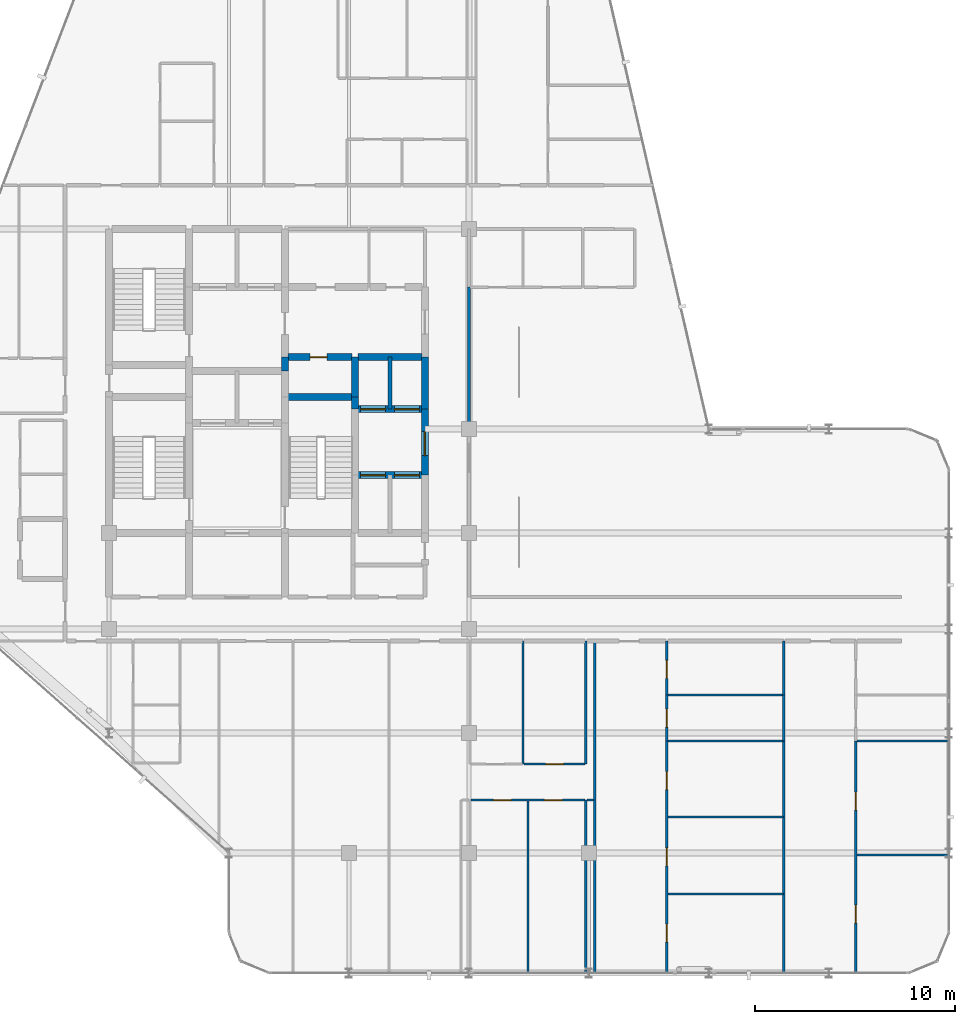
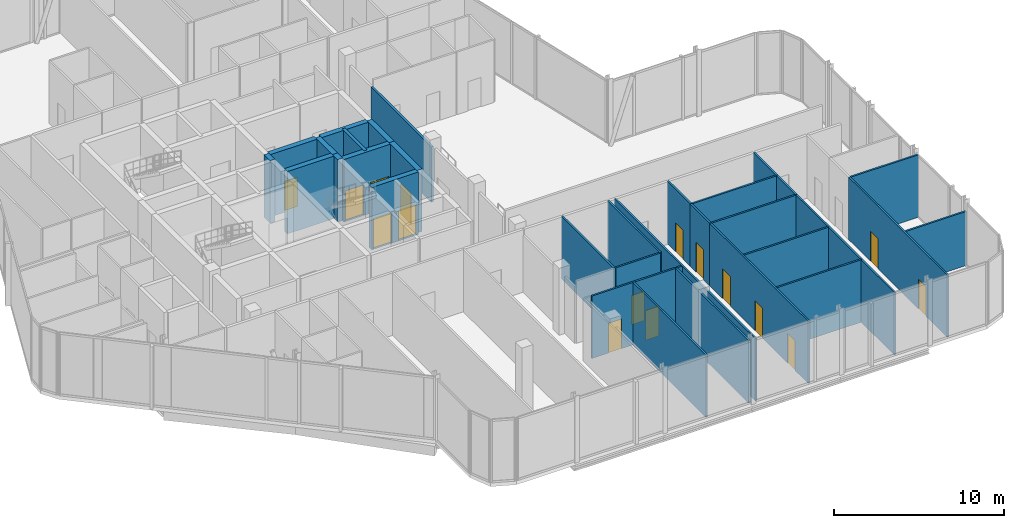
# One storey, part 25 of 29: 33 walls, 16 doors, 16 openings.
"""IFC4 building model written with IfcOpenShell, lengths in metres."""

import ifcopenshell
import ifcopenshell.guid

model = None  # the IFC model being written
_history = None  # IfcOwnerHistory: only IFC2X3 demands one
_inside = {}  # id of a spatial element -> (the spatial element, [elements in it])
_under = {}  # id of a project, library or spatial element -> (it, [spatial elements below it])
_declared = {}  # id of a project -> (the project, [libraries it declares])
_typed = {}  # id of a type object -> (the type object, [elements of that type])
_made_of = {}  # id of a material, layer set ... -> (it, [elements and type objects made of it])


def new_model(schema):
    """Start an empty IFC model of exactly this schema.

    Asked for "IFC4X3", IfcOpenShell would pick the latest addendum, in which some entities
    have other attributes; the version numbers below select the first issue.
    IFC2X3 requires an IfcOwnerHistory on every rooted entity: one is made here for all.
    """
    global model, _history
    if schema == "IFC4X3":
        model = ifcopenshell.file(schema_version=(4, 3, 0, 0))
    else:
        model = ifcopenshell.file(schema=schema)
    _inside.clear()
    _under.clear()
    _declared.clear()
    _typed.clear()
    _made_of.clear()
    _history = None
    if model.schema == "IFC2X3":
        org = make("IfcOrganization", Name="unknown")
        user = make(
            "IfcPersonAndOrganization",
            ThePerson=make("IfcPerson", FamilyName="unknown"),
            TheOrganization=org,
        )
        app = make(
            "IfcApplication",
            ApplicationDeveloper=org,
            Version="unknown",
            ApplicationFullName="unknown",
            ApplicationIdentifier="unknown",
        )
        _history = make(
            "IfcOwnerHistory",
            OwningUser=user,
            OwningApplication=app,
            ChangeAction="ADDED",
            CreationDate=0,
        )
    return model


def make(cls, **values):
    """One entity of the class cls with the attributes given. An attribute that is None is left unset."""
    return model.create_entity(
        cls, **{name: value for name, value in values.items() if value is not None}
    )


def rooted(cls, **values):
    """An entity with a GlobalId (a new one), such as an element, a storey or a relation."""
    return make(cls, GlobalId=ifcopenshell.guid.new(), OwnerHistory=_history, **values)


def si_unit(unit_type, name, prefix=None):
    """IfcSIUnit, for example si_unit("LENGTHUNIT", "METRE", prefix="MILLI")."""
    return make("IfcSIUnit", UnitType=unit_type, Prefix=prefix, Name=name)


def assignment(units):
    """IfcUnitAssignment: the units of a project."""
    return None if units is None else make("IfcUnitAssignment", Units=units)


def point(xyz):
    """IfcCartesianPoint."""
    return None if xyz is None else make("IfcCartesianPoint", Coordinates=xyz)


def direction(xyz):
    """IfcDirection."""
    return None if xyz is None else make("IfcDirection", DirectionRatios=xyz)


def frame(location, z_axis=None, x_axis=None):
    """IfcAxis2Placement3D, a coordinate frame: its origin and axes. An axis left out is left unset."""
    return make(
        "IfcAxis2Placement3D",
        Location=point(location),
        Axis=direction(z_axis),
        RefDirection=direction(x_axis),
    )


def frame_2d(location, x_axis=None):
    """IfcAxis2Placement2D, a coordinate frame in the plane: its origin and x axis."""
    return make(
        "IfcAxis2Placement2D", Location=point(location), RefDirection=direction(x_axis)
    )


def origin():
    """The frame at (0, 0, 0) with its axes left unset."""
    return frame((0.0, 0.0, 0.0))


def place(relative_to, where):
    """IfcLocalPlacement: puts the frame where relative to a parent placement (None: the world)."""
    return make(
        "IfcLocalPlacement", PlacementRelTo=relative_to, RelativePlacement=where
    )


def context(
    kind, dimensions, precision=None, world=None, true_north=None, identifier=None
):
    """IfcGeometricRepresentationContext, for example the 3D "Model" context."""
    return make(
        "IfcGeometricRepresentationContext",
        ContextIdentifier=identifier,
        ContextType=kind,
        CoordinateSpaceDimension=dimensions,
        Precision=precision,
        WorldCoordinateSystem=world,
        TrueNorth=true_north,
    )


def subcontext(parent, identifier, kind, view, scale=None):
    """IfcGeometricRepresentationSubContext, for example "Body" below "Model"."""
    return make(
        "IfcGeometricRepresentationSubContext",
        ContextIdentifier=identifier,
        ContextType=kind,
        ParentContext=parent,
        TargetScale=scale,
        TargetView=view,
    )


def project(units=None, contexts=None):
    """IfcProject with its units and contexts."""
    return rooted(
        "IfcProject",
        Name="project",
        RepresentationContexts=contexts,
        UnitsInContext=assignment(units),
    )


def spatial(cls, under=None, at=None, **own):
    """A site, building, storey or space (cls), placed at a placement, below another one or the project."""
    s = rooted(cls, ObjectPlacement=at, **own)
    if under is not None:
        _under.setdefault(under.id(), (under, []))[1].append(s)
    return s


def profile(cls, at=None, kind="AREA", **sizes):
    """A parametric profile (cls). Its sizes go by their IFC names, for example OverallWidth=200.0."""
    return make(cls, ProfileType=kind, Position=at, **sizes)


def rectangle(**sizes):
    """IfcRectangleProfileDef."""
    return profile("IfcRectangleProfileDef", **sizes)


def extrude(swept, where, along, depth):
    """IfcExtrudedAreaSolid: the profile swept, set in the frame where, extruded along a direction by depth."""
    return make(
        "IfcExtrudedAreaSolid",
        SweptArea=swept,
        Position=where,
        ExtrudedDirection=direction(along),
        Depth=depth,
    )


def shape(context_of_items, identifier, shape_type, items):
    """IfcShapeRepresentation: the items that make up one representation, for example the "Body"."""
    return make(
        "IfcShapeRepresentation",
        ContextOfItems=context_of_items,
        RepresentationIdentifier=identifier,
        RepresentationType=shape_type,
        Items=items,
    )


def material(Name=None, Category=None):
    """IfcMaterial."""
    return make("IfcMaterial", Name=Name, Category=Category)


def layer(
    of_material, thickness, ventilated=None, Name=None, Category=None, Priority=None
):
    """IfcMaterialLayer: one layer of a wall or slab, of a material (None: an air gap)."""
    return make(
        "IfcMaterialLayer",
        Material=of_material,
        LayerThickness=thickness,
        IsVentilated=ventilated,
        Name=Name,
        Category=Category,
        Priority=Priority,
    )


def layer_set(layers, Name=None):
    """IfcMaterialLayerSet."""
    return make("IfcMaterialLayerSet", MaterialLayers=layers, LayerSetName=Name)


def made_of(thing, what):
    """Note that an element or type object is made of a material, layer set ...; save() writes the relation."""
    if what is not None:
        _made_of.setdefault(what.id(), (what, []))[1].append(thing)
    return thing


def type_object(cls, material=None, **own):
    """A type object (cls), such as IfcWallType, which elements share."""
    return made_of(rooted(cls, **own), material)


def element(
    cls,
    number,
    at=None,
    inside=None,
    cuts=None,
    type_object=None,
    material=None,
    context=None,
    identifier="Body",
    shape_type=None,
    held_by="IfcProductDefinitionShape",
    body=None,
    shapes=None,
    **own,
):
    """One element of the class cls, such as IfcWall. Its Tag is "e" and its number.

    at: its placement. inside: the storey or other place that contains it. cuts: it is an
    opening in that element (IfcRelVoidsElement). A single representation is given by context,
    identifier, shape_type and body (its items); several are given by shapes. held_by: the class
    of the entity that holds the representations. save() writes the other relations.
    """
    e = rooted(cls, Tag="e%d" % number, ObjectPlacement=at, **own)
    if body is not None:
        shapes = [shape(context, identifier, shape_type, body)]
    if shapes is not None:
        e.Representation = make(held_by, Representations=shapes)
    if inside is not None:
        _inside.setdefault(inside.id(), (inside, []))[1].append(e)
    if cuts is not None:
        rooted(
            "IfcRelVoidsElement", RelatingBuildingElement=cuts, RelatedOpeningElement=e
        )
    if type_object is not None:
        _typed.setdefault(type_object.id(), (type_object, []))[1].append(e)
    return made_of(e, material)


def fill(opening, filler):
    """IfcRelFillsElement: the door or window that sits in an opening."""
    return rooted(
        "IfcRelFillsElement",
        RelatingOpeningElement=opening,
        RelatedBuildingElement=filler,
    )


def aggregate(whole, parts):
    """IfcRelAggregates: a whole, such as a stair, and the parts it consists of."""
    return rooted("IfcRelAggregates", RelatingObject=whole, RelatedObjects=parts)


def save(model, path):
    """Write the relations noted so far, then the file.

    IfcRelAggregates (storeys below a building ...), IfcRelContainedInSpatialStructure (elements
    in a storey), IfcRelDefinesByType, IfcRelAssociatesMaterial and IfcRelDeclares: one each for
    every whole, place, type object, material and project.
    """
    for whole, parts in _under.values():
        aggregate(whole, parts)
    for where, things in _inside.values():
        rooted(
            "IfcRelContainedInSpatialStructure",
            RelatedElements=things,
            RelatingStructure=where,
        )
    for kind, things in _typed.values():
        rooted("IfcRelDefinesByType", RelatedObjects=things, RelatingType=kind)
    for what, things in _made_of.values():
        rooted("IfcRelAssociatesMaterial", RelatedObjects=things, RelatingMaterial=what)
    for by, libraries in _declared.values():
        rooted("IfcRelDeclares", RelatingContext=by, RelatedDefinitions=libraries)
    model.write(path)


model = new_model("IFC4")

# Units and contexts
model_context = context("Model", 3, precision=1e-05, world=origin(), true_north=direction((0.0, 1.0)))
body_context = subcontext(model_context, "Body", "Model", "MODEL_VIEW")
ifc_project = project(units=[si_unit("LENGTHUNIT", "METRE"), si_unit("AREAUNIT", "SQUARE_METRE"), si_unit("VOLUMEUNIT", "CUBIC_METRE"), si_unit("PLANEANGLEUNIT", "RADIAN"), si_unit("MASSUNIT", "GRAM", prefix="KILO")], contexts=[model_context])

# Site, building, storey
site_placement = place(None, origin())
site = spatial("IfcSite", under=ifc_project, at=site_placement, CompositionType="ELEMENT")
building_placement = place(site_placement, origin())
building = spatial("IfcBuilding", under=site, at=building_placement, Name="Keshet Zoharim Tower", CompositionType="ELEMENT")
storey_placement = place(building_placement, frame((0.0, 0.0, 218.0)))
storey = spatial("IfcBuildingStorey", under=building, at=storey_placement, Name="L54", CompositionType="ELEMENT", Elevation=218.0)

# Walls
ifc_material_1 = material(Name="Gypsum Plasterboard", Category="gypsum")
ifc_layer_1 = layer(ifc_material_1, 0.14990234375)
ifc_layer_set_1 = layer_set([ifc_layer_1], Name="Gypsum Plasterboard")
wall_type_1 = type_object("IfcWallType", Name="WL-CLIN-150", PredefinedType="STANDARD", material=ifc_layer_set_1)
wall_1_placement = place(storey_placement, frame((33.0, 27.89990234375, 0.0), z_axis=(0.0, 0.0, 1.0), x_axis=(0.0, 1.0, 0.0)))
element("IfcWall", 1, at=wall_1_placement, inside=storey, type_object=wall_type_1, Name="L54 Interior Wall 067 Part 2", PredefinedType="STANDARD", context=body_context, shape_type="SweptSolid", body=[
    extrude(rectangle(XDim=7.10009765625, YDim=0.14990234375, at=frame_2d((3.550048828125, 0.0))), origin(), (0.0, 0.0, 1.0), 3.989990234375),
])
ifc_material_2 = material(Name="Concrete C60/75", Category="concrete")
ifc_layer_2 = layer(ifc_material_2, 0.35009765625)
ifc_layer_set_2 = layer_set([ifc_layer_2], Name="Concrete C60/75")
wall_type_2 = type_object("IfcWallType", Name="WL-CORE-350", PredefinedType="SHEAR", material=ifc_layer_set_2)
wall_2_placement = place(storey_placement, frame((23.800048828125, 30.800048828125, 0.0), z_axis=(0.0, 0.0, 1.0), x_axis=(0.0, 1.0, 0.0)))
element("IfcWall", 2, at=wall_2_placement, inside=storey, type_object=wall_type_2, Name="L54 Core Shear Wall 038", PredefinedType="SHEAR", context=body_context, shape_type="SweptSolid", body=[
    extrude(rectangle(XDim=0.699951171875, YDim=0.35009765625, at=frame_2d((0.35009765625, 0.0))), origin(), (0.0, 0.0, 1.0), 4.489990234375),
])
wall_3_placement = place(storey_placement, frame((27.300048828125, 28.89990234375, 0.0), z_axis=(0.0, 0.0, 1.0), x_axis=(0.0, 1.0, 0.0)))
element("IfcWall", 3, at=wall_3_placement, inside=storey, type_object=wall_type_2, Name="L54 Core Shear Wall 049", PredefinedType="SHEAR", context=body_context, shape_type="SweptSolid", body=[
    extrude(rectangle(XDim=0.60009765625, YDim=0.35009765625, at=frame_2d((0.300048828125, 0.0))), origin(), (0.0, 0.0, 1.0), 4.489990234375),
])
wall_4_placement = place(storey_placement, frame((27.300048828125, 29.5, 0.0), z_axis=(0.0, 0.0, 1.0), x_axis=(0.0, 1.0, 0.0)))
element("IfcWall", 4, at=wall_4_placement, inside=storey, type_object=wall_type_2, Name="L54 Core Shear Wall 050", PredefinedType="SHEAR", context=body_context, shape_type="SweptSolid", body=[
    extrude(rectangle(XDim=2.0, YDim=0.35009765625, at=frame_2d((1.0, 0.0))), origin(), (0.0, 0.0, 1.0), 4.489990234375),
])

# Wall, opening, door
wall_5_placement = place(storey_placement, frame((30.800048828125, 25.60009765625, 0.0), z_axis=(0.0, 0.0, 1.0), x_axis=(0.0, 1.0, 0.0)))
wall_5 = element("IfcWall", 5, at=wall_5_placement, inside=storey, type_object=wall_type_2, Name="L54 Core Shear Wall 060", PredefinedType="SHEAR", context=body_context, shape_type="SweptSolid", body=[
    extrude(rectangle(XDim=3.2998046875, YDim=0.35009765625, at=frame_2d((1.64990234375, 0.0))), origin(), (0.0, 0.0, 1.0), 4.489990234375),
])
opening_1_placement = place(wall_5_placement, frame((0.97802734375, 0.0, 0.0)))
opening_1 = element("IfcOpeningElement", 6, at=opening_1_placement, cuts=wall_5, Name="Opening D-F612", PredefinedType="OPENING", context=body_context, shape_type="SweptSolid", body=[
    extrude(rectangle(XDim=1.199951171875, YDim=2.199951171875, at=frame_2d((0.60009765625, 1.10009765625))), frame((0.0, 0.18505859375, 0.0), z_axis=(0.0, -1.0, 0.0), x_axis=(1.0, 0.0, 0.0)), (0.0, 0.0, 1.0), 0.3701171875),
])
ifc_material_3 = material(Name="Hardwood Timber", Category="wood")
door_type_1 = type_object("IfcDoorType", Name="DR-FD60-120", OperationType="NOTDEFINED", PredefinedType="DOOR", material=ifc_material_3)
door_1_placement = place(opening_1_placement, origin())
door_1 = element("IfcDoor", 7, at=door_1_placement, inside=storey, type_object=door_type_1, Name="L54 East Lift Lobby Fire Door", OperationType="SINGLE_SWING_RIGHT", OverallHeight=2.199951171875, OverallWidth=1.199951171875, PredefinedType="DOOR", context=body_context, shape_type="SweptSolid", body=[
    extrude(rectangle(XDim=1.199951171875, YDim=2.199951171875, at=frame_2d((0.60009765625, 1.10009765625))), frame((0.0, 0.02490234375, 0.0), z_axis=(0.0, -1.0, 0.0), x_axis=(1.0, 0.0, 0.0)), (0.0, 0.0, 1.0), 0.050048828125),
])
fill(opening_1, door_1)

# Wall
wall_6_placement = place(storey_placement, frame((30.800048828125, 28.89990234375, 0.0), z_axis=(0.0, 0.0, 1.0), x_axis=(0.0, 1.0, 0.0)))
element("IfcWall", 8, at=wall_6_placement, inside=storey, type_object=wall_type_2, Name="L54 Core Shear Wall 061", PredefinedType="SHEAR", context=body_context, shape_type="SweptSolid", body=[
    extrude(rectangle(XDim=2.60009765625, YDim=0.35009765625, at=frame_2d((1.300048828125, 0.0))), origin(), (0.0, 0.0, 1.0), 4.489990234375),
])

# Wall, openings, doors
wall_7_placement = place(storey_placement, frame((27.4599609375, 25.60009765625, 0.0), z_axis=(0.0, 0.0, 1.0), x_axis=(1.0, 0.0, 0.0)))
wall_7 = element("IfcWall", 9, at=wall_7_placement, inside=storey, type_object=wall_type_2, Name="L54 Core Shear Wall 134", PredefinedType="SHEAR", context=body_context, shape_type="SweptSolid", body=[
    extrude(rectangle(XDim=3.179931640625, YDim=0.35009765625, at=frame_2d((1.58984375, 0.0))), origin(), (0.0, 0.0, 1.0), 4.489990234375),
])
opening_2_placement = place(wall_7_placement, frame((0.1201171875, 0.0, 0.0)))
opening_2 = element("IfcOpeningElement", 10, at=opening_2_placement, cuts=wall_7, Name="Opening LD-01", PredefinedType="OPENING", context=body_context, shape_type="SweptSolid", body=[
    extrude(rectangle(XDim=1.25, YDim=2.199951171875, at=frame_2d((0.625, 1.10009765625))), frame((0.0, 0.18505859375, 0.0), z_axis=(0.0, -1.0, 0.0), x_axis=(1.0, 0.0, 0.0)), (0.0, 0.0, 1.0), 0.3701171875),
])
opening_3_placement = place(wall_7_placement, frame((1.81005859375, 0.0, 0.0)))
opening_3 = element("IfcOpeningElement", 11, at=opening_3_placement, cuts=wall_7, Name="Opening LD-01", PredefinedType="OPENING", context=body_context, shape_type="SweptSolid", body=[
    extrude(rectangle(XDim=1.25, YDim=2.199951171875, at=frame_2d((0.625, 1.10009765625))), frame((0.0, 0.18505859375, 0.0), z_axis=(0.0, -1.0, 0.0), x_axis=(1.0, 0.0, 0.0)), (0.0, 0.0, 1.0), 0.3701171875),
])
ifc_material_4 = material(Name="Steel S355", Category="steel")
door_type_2 = type_object("IfcDoorType", Name="DR-LD01-125", OperationType="DOUBLE_DOOR_SLIDING", PredefinedType="DOOR", material=ifc_material_4)
door_2_placement = place(opening_2_placement, origin())
door_2 = element("IfcDoor", 12, at=door_2_placement, inside=storey, type_object=door_type_2, Name="L54 Passenger Lift Landing Door LF-07", OperationType="DOUBLE_DOOR_SLIDING", OverallHeight=2.199951171875, OverallWidth=1.25, PredefinedType="DOOR", context=body_context, shape_type="SweptSolid", body=[
    extrude(rectangle(XDim=1.25, YDim=2.199951171875, at=frame_2d((0.625, 1.10009765625))), frame((0.0, 0.02490234375, 0.0), z_axis=(0.0, -1.0, 0.0), x_axis=(1.0, 0.0, 0.0)), (0.0, 0.0, 1.0), 0.050048828125),
])
fill(opening_2, door_2)
door_3_placement = place(opening_3_placement, origin())
door_3 = element("IfcDoor", 13, at=door_3_placement, inside=storey, type_object=door_type_2, Name="L54 Passenger Lift Landing Door LF-08", OperationType="DOUBLE_DOOR_SLIDING", OverallHeight=2.199951171875, OverallWidth=1.25, PredefinedType="DOOR", context=body_context, shape_type="SweptSolid", body=[
    extrude(rectangle(XDim=1.25, YDim=2.199951171875, at=frame_2d((0.625, 1.10009765625))), frame((0.0, 0.02490234375, 0.0), z_axis=(0.0, -1.0, 0.0), x_axis=(1.0, 0.0, 0.0)), (0.0, 0.0, 1.0), 0.050048828125),
])
fill(opening_3, door_3)

wall_8_placement = place(storey_placement, frame((27.4599609375, 28.89990234375, 0.0), z_axis=(0.0, 0.0, 1.0), x_axis=(1.0, 0.0, 0.0)))
wall_8 = element("IfcWall", 14, at=wall_8_placement, inside=storey, type_object=wall_type_2, Name="L54 Core Shear Wall 142", PredefinedType="SHEAR", context=body_context, shape_type="SweptSolid", body=[
    extrude(rectangle(XDim=3.179931640625, YDim=0.35009765625, at=frame_2d((1.58984375, 0.0))), origin(), (0.0, 0.0, 1.0), 4.489990234375),
])
opening_4_placement = place(wall_8_placement, frame((0.1201171875, 0.0, 0.0)))
opening_4 = element("IfcOpeningElement", 15, at=opening_4_placement, cuts=wall_8, Name="Opening LD-01", PredefinedType="OPENING", context=body_context, shape_type="SweptSolid", body=[
    extrude(rectangle(XDim=1.25, YDim=2.199951171875, at=frame_2d((0.625, 1.10009765625))), frame((0.0, 0.18505859375, 0.0), z_axis=(0.0, -1.0, 0.0), x_axis=(1.0, 0.0, 0.0)), (0.0, 0.0, 1.0), 0.3701171875),
])
opening_5_placement = place(wall_8_placement, frame((1.81005859375, 0.0, 0.0)))
opening_5 = element("IfcOpeningElement", 16, at=opening_5_placement, cuts=wall_8, Name="Opening LD-01", PredefinedType="OPENING", context=body_context, shape_type="SweptSolid", body=[
    extrude(rectangle(XDim=1.25, YDim=2.199951171875, at=frame_2d((0.625, 1.10009765625))), frame((0.0, 0.18505859375, 0.0), z_axis=(0.0, -1.0, 0.0), x_axis=(1.0, 0.0, 0.0)), (0.0, 0.0, 1.0), 0.3701171875),
])
door_4_placement = place(opening_4_placement, origin())
door_4 = element("IfcDoor", 17, at=door_4_placement, inside=storey, type_object=door_type_2, Name="L54 Passenger Lift Landing Door LF-05", OperationType="DOUBLE_DOOR_SLIDING", OverallHeight=2.199951171875, OverallWidth=1.25, PredefinedType="DOOR", context=body_context, shape_type="SweptSolid", body=[
    extrude(rectangle(XDim=1.25, YDim=2.199951171875, at=frame_2d((0.625, 1.10009765625))), frame((0.0, 0.02490234375, 0.0), z_axis=(0.0, -1.0, 0.0), x_axis=(1.0, 0.0, 0.0)), (0.0, 0.0, 1.0), 0.050048828125),
])
fill(opening_4, door_4)
door_5_placement = place(opening_5_placement, origin())
door_5 = element("IfcDoor", 18, at=door_5_placement, inside=storey, type_object=door_type_2, Name="L54 Passenger Lift Landing Door LF-06", OperationType="DOUBLE_DOOR_SLIDING", OverallHeight=2.199951171875, OverallWidth=1.25, PredefinedType="DOOR", context=body_context, shape_type="SweptSolid", body=[
    extrude(rectangle(XDim=1.25, YDim=2.199951171875, at=frame_2d((0.625, 1.10009765625))), frame((0.0, 0.02490234375, 0.0), z_axis=(0.0, -1.0, 0.0), x_axis=(1.0, 0.0, 0.0)), (0.0, 0.0, 1.0), 0.050048828125),
])
fill(opening_5, door_5)

# Wall
wall_9_placement = place(storey_placement, frame((23.9599609375, 29.5, 0.0), z_axis=(0.0, 0.0, 1.0), x_axis=(1.0, 0.0, 0.0)))
element("IfcWall", 19, at=wall_9_placement, inside=storey, type_object=wall_type_2, Name="L54 Core Shear Wall 144", PredefinedType="SHEAR", context=body_context, shape_type="SweptSolid", body=[
    extrude(rectangle(XDim=3.179931640625, YDim=0.35009765625, at=frame_2d((1.58984375, 0.0))), origin(), (0.0, 0.0, 1.0), 4.489990234375),
])

# Wall, opening, door
wall_10_placement = place(storey_placement, frame((23.9599609375, 31.5, 0.0), z_axis=(0.0, 0.0, 1.0), x_axis=(1.0, 0.0, 0.0)))
wall_10 = element("IfcWall", 20, at=wall_10_placement, inside=storey, type_object=wall_type_2, Name="L54 Core Shear Wall 149", PredefinedType="SHEAR", context=body_context, shape_type="SweptSolid", body=[
    extrude(rectangle(XDim=3.179931640625, YDim=0.35009765625, at=frame_2d((1.58984375, 0.0))), origin(), (0.0, 0.0, 1.0), 4.489990234375),
])
opening_6_placement = place(wall_10_placement, frame((1.093994140625, 0.0, 0.0)))
opening_6 = element("IfcOpeningElement", 21, at=opening_6_placement, cuts=wall_10, Name="Opening D-RS85", PredefinedType="OPENING", context=body_context, shape_type="SweptSolid", body=[
    extrude(rectangle(XDim=0.85009765625, YDim=2.10009765625, at=frame_2d((0.425048828125, 1.050048828125))), frame((0.0, 0.18505859375, 0.0), z_axis=(0.0, -1.0, 0.0), x_axis=(1.0, 0.0, 0.0)), (0.0, 0.0, 1.0), 0.3701171875),
])
door_type_3 = type_object("IfcDoorType", Name="DR-RIS-085", OperationType="NOTDEFINED", PredefinedType="DOOR", material=ifc_material_3)
door_6_placement = place(opening_6_placement, origin())
door_6 = element("IfcDoor", 22, at=door_6_placement, inside=storey, type_object=door_type_3, Name="L54 Telecom Riser Access Cupboard Door", OperationType="SINGLE_SWING_LEFT", OverallHeight=2.10009765625, OverallWidth=0.85009765625, PredefinedType="DOOR", context=body_context, shape_type="SweptSolid", body=[
    extrude(rectangle(XDim=0.85009765625, YDim=2.10009765625, at=frame_2d((0.425048828125, 1.050048828125))), frame((0.0, 0.02490234375, 0.0), z_axis=(0.0, -1.0, 0.0), x_axis=(1.0, 0.0, 0.0)), (0.0, 0.0, 1.0), 0.050048828125),
])
fill(opening_6, door_6)

# Walls
wall_11_placement = place(storey_placement, frame((27.4599609375, 31.5, 0.0), z_axis=(0.0, 0.0, 1.0), x_axis=(1.0, 0.0, 0.0)))
element("IfcWall", 23, at=wall_11_placement, inside=storey, type_object=wall_type_2, Name="L54 Core Shear Wall 150", PredefinedType="SHEAR", context=body_context, shape_type="SweptSolid", body=[
    extrude(rectangle(XDim=3.179931640625, YDim=0.35009765625, at=frame_2d((1.58984375, 0.0))), origin(), (0.0, 0.0, 1.0), 4.489990234375),
])
ifc_material_5 = material(Name="Concrete C50/60", Category="concrete")
ifc_layer_3 = layer(ifc_material_5, 0.199951171875)
ifc_layer_set_3 = layer_set([ifc_layer_3], Name="Concrete C50/60")
wall_type_3 = type_object("IfcWallType", Name="WL-FIRE-200", PredefinedType="STANDARD", material=ifc_layer_set_3)
wall_12_placement = place(storey_placement, frame((29.050048828125, 28.89990234375, 0.0), z_axis=(0.0, 0.0, 1.0), x_axis=(0.0, 1.0, 0.0)))
element("IfcWall", 24, at=wall_12_placement, inside=storey, type_object=wall_type_3, Name="L54 Interior Wall 054", PredefinedType="STANDARD", context=body_context, shape_type="SweptSolid", body=[
    extrude(rectangle(XDim=2.60009765625, YDim=0.199951171875, at=frame_2d((1.300048828125, 0.0))), origin(), (0.0, 0.0, 1.0), 4.489990234375),
])
ifc_layer_4 = layer(ifc_material_1, 0.1201171875)
ifc_layer_set_4 = layer_set([ifc_layer_4], Name="Gypsum Plasterboard")
wall_type_4 = type_object("IfcWallType", Name="WL-PART-120", PredefinedType="PARTITIONING", material=ifc_layer_set_4)
for number, where, z_axis, x_axis, name in (
    (25, (35.949951171875, 0.7099609375, 0.0), (0.0, 0.0, 1.0), (0.0, 1.0, 0.0), "L54 Interior Wall 074"),
    (26, (38.85009765625, 0.7099609375, 0.0), (0.0, 0.0, 1.0), (0.0, 1.0, 0.0), "L54 Interior Wall 079"),
):
    element("IfcWall", number, at=place(storey_placement, frame(where, z_axis=z_axis, x_axis=x_axis)), inside=storey, type_object=wall_type_4, Name=name, PredefinedType="PARTITIONING", context=body_context, shape_type="SweptSolid", body=[
        extrude(rectangle(XDim=8.64013671875, YDim=0.1201171875, at=frame_2d((4.320068359375, 0.0))), origin(), (0.0, 0.0, 1.0), 4.489990234375),
    ])
wall_13_placement = place(storey_placement, frame((39.300048828125, 0.7099609375, 0.0), z_axis=(0.0, 0.0, 1.0), x_axis=(0.0, 1.0, 0.0)))
element("IfcWall", 27, at=wall_13_placement, inside=storey, type_object=wall_type_4, Name="L54 Interior Wall 081", PredefinedType="PARTITIONING", context=body_context, shape_type="SweptSolid", body=[
    extrude(rectangle(XDim=16.590087890625, YDim=0.1201171875, at=frame_2d((8.294921875, 0.0))), origin(), (0.0, 0.0, 1.0), 4.489990234375),
])

# Wall, openings, doors
wall_14_placement = place(storey_placement, frame((42.89990234375, 0.7099609375, 0.0), z_axis=(0.0, 0.0, 1.0), x_axis=(0.0, 1.0, 0.0)))
wall_14 = element("IfcWall", 28, at=wall_14_placement, inside=storey, type_object=wall_type_4, Name="L54 Interior Wall 083", PredefinedType="PARTITIONING", context=body_context, shape_type="SweptSolid", body=[
    extrude(rectangle(XDim=11.590087890625, YDim=0.1201171875, at=frame_2d((5.794921875, 0.0))), origin(), (0.0, 0.0, 1.0), 4.489990234375),
])
opening_7_placement = place(wall_14_placement, frame((1.534912109375, 0.0, 0.0)))
opening_7 = element("IfcOpeningElement", 29, at=opening_7_placement, cuts=wall_14, Name="Opening D-IN90", PredefinedType="OPENING", context=body_context, shape_type="SweptSolid", body=[
    extrude(rectangle(XDim=0.89990234375, YDim=2.14990234375, at=frame_2d((0.449951171875, 1.074951171875))), frame((0.0, 0.070068359375, 0.0), z_axis=(0.0, -1.0, 0.0), x_axis=(1.0, 0.0, 0.0)), (0.0, 0.0, 1.0), 0.14013671875),
])
opening_8_placement = place(wall_14_placement, frame((5.34912109375, 0.0, 0.0)))
opening_8 = element("IfcOpeningElement", 30, at=opening_8_placement, cuts=wall_14, Name="Opening D-IN90", PredefinedType="OPENING", context=body_context, shape_type="SweptSolid", body=[
    extrude(rectangle(XDim=0.89990234375, YDim=2.14990234375, at=frame_2d((0.449951171875, 1.074951171875))), frame((0.0, 0.070068359375, 0.0), z_axis=(0.0, -1.0, 0.0), x_axis=(1.0, 0.0, 0.0)), (0.0, 0.0, 1.0), 0.14013671875),
])
opening_9_placement = place(wall_14_placement, frame((9.158935546875, 0.0, 0.0)))
opening_9 = element("IfcOpeningElement", 31, at=opening_9_placement, cuts=wall_14, Name="Opening D-IN90", PredefinedType="OPENING", context=body_context, shape_type="SweptSolid", body=[
    extrude(rectangle(XDim=0.89990234375, YDim=2.14990234375, at=frame_2d((0.449951171875, 1.074951171875))), frame((0.0, 0.070068359375, 0.0), z_axis=(0.0, -1.0, 0.0), x_axis=(1.0, 0.0, 0.0)), (0.0, 0.0, 1.0), 0.14013671875),
])
door_type_4 = type_object("IfcDoorType", Name="DR-INT-090", OperationType="NOTDEFINED", PredefinedType="DOOR", material=ifc_material_3)
door_7_placement = place(opening_7_placement, origin())
door_7 = element("IfcDoor", 32, at=door_7_placement, inside=storey, type_object=door_type_4, Name="Apartment 5403 Bedroom 1 Door", OperationType="SINGLE_SWING_LEFT", OverallHeight=2.14990234375, OverallWidth=0.89990234375, PredefinedType="DOOR", context=body_context, shape_type="SweptSolid", body=[
    extrude(rectangle(XDim=0.89990234375, YDim=2.14990234375, at=frame_2d((0.449951171875, 1.074951171875))), frame((0.0, 0.02490234375, 0.0), z_axis=(0.0, -1.0, 0.0), x_axis=(1.0, 0.0, 0.0)), (0.0, 0.0, 1.0), 0.050048828125),
])
fill(opening_7, door_7)
door_8_placement = place(opening_8_placement, origin())
door_8 = element("IfcDoor", 33, at=door_8_placement, inside=storey, type_object=door_type_4, Name="Apartment 5403 Bedroom 2 Door", OperationType="SINGLE_SWING_RIGHT", OverallHeight=2.14990234375, OverallWidth=0.89990234375, PredefinedType="DOOR", context=body_context, shape_type="SweptSolid", body=[
    extrude(rectangle(XDim=0.89990234375, YDim=2.14990234375, at=frame_2d((0.449951171875, 1.074951171875))), frame((0.0, 0.02490234375, 0.0), z_axis=(0.0, -1.0, 0.0), x_axis=(1.0, 0.0, 0.0)), (0.0, 0.0, 1.0), 0.050048828125),
])
fill(opening_8, door_8)
door_9_placement = place(opening_9_placement, origin())
door_9 = element("IfcDoor", 34, at=door_9_placement, inside=storey, type_object=door_type_4, Name="Apartment 5403 Bedroom 3 Door", OperationType="SINGLE_SWING_LEFT", OverallHeight=2.14990234375, OverallWidth=0.89990234375, PredefinedType="DOOR", context=body_context, shape_type="SweptSolid", body=[
    extrude(rectangle(XDim=0.89990234375, YDim=2.14990234375, at=frame_2d((0.449951171875, 1.074951171875))), frame((0.0, 0.02490234375, 0.0), z_axis=(0.0, -1.0, 0.0), x_axis=(1.0, 0.0, 0.0)), (0.0, 0.0, 1.0), 0.050048828125),
])
fill(opening_9, door_9)

# Wall, opening, door
wall_15_placement = place(storey_placement, frame((42.89990234375, 12.300048828125, 0.0), z_axis=(0.0, 0.0, 1.0), x_axis=(0.0, 1.0, 0.0)))
wall_15 = element("IfcWall", 35, at=wall_15_placement, inside=storey, type_object=wall_type_4, Name="L54 Interior Wall 084", PredefinedType="PARTITIONING", context=body_context, shape_type="SweptSolid", body=[
    extrude(rectangle(XDim=2.300048828125, YDim=0.1201171875, at=frame_2d((1.14990234375, 0.0))), origin(), (0.0, 0.0, 1.0), 4.489990234375),
])
opening_10_placement = place(wall_15_placement, frame((0.699951171875, 0.0, 0.0)))
opening_10 = element("IfcOpeningElement", 36, at=opening_10_placement, cuts=wall_15, Name="Opening D-IN90", PredefinedType="OPENING", context=body_context, shape_type="SweptSolid", body=[
    extrude(rectangle(XDim=0.89990234375, YDim=2.14990234375, at=frame_2d((0.449951171875, 1.074951171875))), frame((0.0, 0.070068359375, 0.0), z_axis=(0.0, -1.0, 0.0), x_axis=(1.0, 0.0, 0.0)), (0.0, 0.0, 1.0), 0.14013671875),
])
door_10_placement = place(opening_10_placement, origin())
door_10 = element("IfcDoor", 37, at=door_10_placement, inside=storey, type_object=door_type_4, Name="Apartment 5403 Kitchen Door", OperationType="SINGLE_SWING_RIGHT", OverallHeight=2.14990234375, OverallWidth=0.89990234375, PredefinedType="DOOR", context=body_context, shape_type="SweptSolid", body=[
    extrude(rectangle(XDim=0.89990234375, YDim=2.14990234375, at=frame_2d((0.449951171875, 1.074951171875))), frame((0.0, 0.02490234375, 0.0), z_axis=(0.0, -1.0, 0.0), x_axis=(1.0, 0.0, 0.0)), (0.0, 0.0, 1.0), 0.050048828125),
])
fill(opening_10, door_10)

# Walls
wall_16_placement = place(storey_placement, frame((48.75, 0.7099609375, 0.0), z_axis=(0.0, 0.0, 1.0), x_axis=(0.0, 1.0, 0.0)))
element("IfcWall", 38, at=wall_16_placement, inside=storey, type_object=wall_type_4, Name="L54 Interior Wall 086", PredefinedType="PARTITIONING", context=body_context, shape_type="SweptSolid", body=[
    extrude(rectangle(XDim=11.590087890625, YDim=0.1201171875, at=frame_2d((5.794921875, 0.0))), origin(), (0.0, 0.0, 1.0), 4.489990234375),
])
wall_17_placement = place(storey_placement, frame((48.75, 12.300048828125, 0.0), z_axis=(0.0, 0.0, 1.0), x_axis=(0.0, 1.0, 0.0)))
element("IfcWall", 39, at=wall_17_placement, inside=storey, type_object=wall_type_4, Name="L54 Interior Wall 087", PredefinedType="PARTITIONING", context=body_context, shape_type="SweptSolid", body=[
    extrude(rectangle(XDim=2.300048828125, YDim=0.1201171875, at=frame_2d((1.14990234375, 0.0))), origin(), (0.0, 0.0, 1.0), 4.489990234375),
])

# Wall, openings, doors
wall_18_placement = place(storey_placement, frame((52.35009765625, 0.7099609375, 0.0), z_axis=(0.0, 0.0, 1.0), x_axis=(0.0, 1.0, 0.0)))
wall_18 = element("IfcWall", 40, at=wall_18_placement, inside=storey, type_object=wall_type_4, Name="L54 Interior Wall 089", PredefinedType="PARTITIONING", context=body_context, shape_type="SweptSolid", body=[
    extrude(rectangle(XDim=11.590087890625, YDim=0.1201171875, at=frame_2d((5.794921875, 0.0))), origin(), (0.0, 0.0, 1.0), 4.489990234375),
])
opening_11_placement = place(wall_18_placement, frame((2.489990234375, 0.0, 0.0)))
opening_11 = element("IfcOpeningElement", 41, at=opening_11_placement, cuts=wall_18, Name="Opening D-IN90", PredefinedType="OPENING", context=body_context, shape_type="SweptSolid", body=[
    extrude(rectangle(XDim=0.89990234375, YDim=2.14990234375, at=frame_2d((0.449951171875, 1.074951171875))), frame((0.0, 0.070068359375, 0.0), z_axis=(0.0, -1.0, 0.0), x_axis=(1.0, 0.0, 0.0)), (0.0, 0.0, 1.0), 0.14013671875),
])
opening_12_placement = place(wall_18_placement, frame((8.133056640625, 0.0, 0.0)))
opening_12 = element("IfcOpeningElement", 42, at=opening_12_placement, cuts=wall_18, Name="Opening D-IN90", PredefinedType="OPENING", context=body_context, shape_type="SweptSolid", body=[
    extrude(rectangle(XDim=0.89990234375, YDim=2.14990234375, at=frame_2d((0.449951171875, 1.074951171875))), frame((0.0, 0.070068359375, 0.0), z_axis=(0.0, -1.0, 0.0), x_axis=(1.0, 0.0, 0.0)), (0.0, 0.0, 1.0), 0.14013671875),
])
door_11_placement = place(opening_11_placement, origin())
door_11 = element("IfcDoor", 43, at=door_11_placement, inside=storey, type_object=door_type_4, Name="Apartment 5404 Bedroom 1 Door", OperationType="SINGLE_SWING_RIGHT", OverallHeight=2.14990234375, OverallWidth=0.89990234375, PredefinedType="DOOR", context=body_context, shape_type="SweptSolid", body=[
    extrude(rectangle(XDim=0.89990234375, YDim=2.14990234375, at=frame_2d((0.449951171875, 1.074951171875))), frame((0.0, 0.02490234375, 0.0), z_axis=(0.0, -1.0, 0.0), x_axis=(1.0, 0.0, 0.0)), (0.0, 0.0, 1.0), 0.050048828125),
])
fill(opening_11, door_11)
door_12_placement = place(opening_12_placement, origin())
door_12 = element("IfcDoor", 44, at=door_12_placement, inside=storey, type_object=door_type_4, Name="Apartment 5404 Bedroom 2 Door", OperationType="SINGLE_SWING_LEFT", OverallHeight=2.14990234375, OverallWidth=0.89990234375, PredefinedType="DOOR", context=body_context, shape_type="SweptSolid", body=[
    extrude(rectangle(XDim=0.89990234375, YDim=2.14990234375, at=frame_2d((0.449951171875, 1.074951171875))), frame((0.0, 0.02490234375, 0.0), z_axis=(0.0, -1.0, 0.0), x_axis=(1.0, 0.0, 0.0)), (0.0, 0.0, 1.0), 0.050048828125),
])
fill(opening_12, door_12)

# Walls
wall_19_placement = place(storey_placement, frame((42.945068359375, 4.64990234375, 0.0), z_axis=(0.0, 0.0, 1.0), x_axis=(1.0, 0.0, 0.0)))
element("IfcWall", 45, at=wall_19_placement, inside=storey, type_object=wall_type_4, Name="L54 Interior Wall 092", PredefinedType="PARTITIONING", context=body_context, shape_type="SweptSolid", body=[
    extrude(rectangle(XDim=5.780029296875, YDim=0.1201171875, at=frame_2d((2.89013671875, 0.0))), origin(), (0.0, 0.0, 1.0), 4.489990234375),
])
wall_20_placement = place(storey_placement, frame((52.4150390625, 6.60009765625, 0.0), z_axis=(0.0, 0.0, 1.0), x_axis=(1.0, 0.0, 0.0)))
element("IfcWall", 46, at=wall_20_placement, inside=storey, type_object=wall_type_4, Name="L54 Interior Wall 093", PredefinedType="PARTITIONING", context=body_context, shape_type="SweptSolid", body=[
    extrude(rectangle(XDim=4.574951171875, YDim=0.1201171875, at=frame_2d((2.28759765625, 0.0))), origin(), (0.0, 0.0, 1.0), 3.889892578125),
])
wall_21_placement = place(storey_placement, frame((42.945068359375, 8.5, 0.0), z_axis=(0.0, 0.0, 1.0), x_axis=(1.0, 0.0, 0.0)))
element("IfcWall", 47, at=wall_21_placement, inside=storey, type_object=wall_type_4, Name="L54 Interior Wall 094", PredefinedType="PARTITIONING", context=body_context, shape_type="SweptSolid", body=[
    extrude(rectangle(XDim=5.780029296875, YDim=0.1201171875, at=frame_2d((2.89013671875, 0.0))), origin(), (0.0, 0.0, 1.0), 4.489990234375),
])

# Wall, openings, doors
wall_22_placement = place(storey_placement, frame((33.094970703125, 9.35009765625, 0.0), z_axis=(0.0, 0.0, 1.0), x_axis=(1.0, 0.0, 0.0)))
wall_22 = element("IfcWall", 48, at=wall_22_placement, inside=storey, type_object=wall_type_4, Name="L54 Interior Wall 096", PredefinedType="PARTITIONING", context=body_context, shape_type="SweptSolid", body=[
    extrude(rectangle(XDim=5.7099609375, YDim=0.1201171875, at=frame_2d((2.85498046875, 0.0))), origin(), (0.0, 0.0, 1.0), 4.489990234375),
])
opening_13_placement = place(wall_22_placement, frame((1.1298828125, 0.0, 0.0)))
opening_13 = element("IfcOpeningElement", 49, at=opening_13_placement, cuts=wall_22, Name="Opening D-IN90", PredefinedType="OPENING", context=body_context, shape_type="SweptSolid", body=[
    extrude(rectangle(XDim=0.89990234375, YDim=2.14990234375, at=frame_2d((0.449951171875, 1.074951171875))), frame((0.0, 0.070068359375, 0.0), z_axis=(0.0, -1.0, 0.0), x_axis=(1.0, 0.0, 0.0)), (0.0, 0.0, 1.0), 0.14013671875),
])
opening_14_placement = place(wall_22_placement, frame((3.679931640625, 0.0, 0.0)))
opening_14 = element("IfcOpeningElement", 50, at=opening_14_placement, cuts=wall_22, Name="Opening D-IN90", PredefinedType="OPENING", context=body_context, shape_type="SweptSolid", body=[
    extrude(rectangle(XDim=0.89990234375, YDim=2.14990234375, at=frame_2d((0.449951171875, 1.074951171875))), frame((0.0, 0.070068359375, 0.0), z_axis=(0.0, -1.0, 0.0), x_axis=(1.0, 0.0, 0.0)), (0.0, 0.0, 1.0), 0.14013671875),
])
door_13_placement = place(opening_13_placement, origin())
door_13 = element("IfcDoor", 51, at=door_13_placement, inside=storey, type_object=door_type_4, Name="Apartment 5402 Bedroom 1 Door", OperationType="SINGLE_SWING_RIGHT", OverallHeight=2.14990234375, OverallWidth=0.89990234375, PredefinedType="DOOR", context=body_context, shape_type="SweptSolid", body=[
    extrude(rectangle(XDim=0.89990234375, YDim=2.14990234375, at=frame_2d((0.449951171875, 1.074951171875))), frame((0.0, 0.02490234375, 0.0), z_axis=(0.0, -1.0, 0.0), x_axis=(1.0, 0.0, 0.0)), (0.0, 0.0, 1.0), 0.050048828125),
])
fill(opening_13, door_13)
door_14_placement = place(opening_14_placement, origin())
door_14 = element("IfcDoor", 52, at=door_14_placement, inside=storey, type_object=door_type_4, Name="Apartment 5402 Bedroom 2 Door", OperationType="SINGLE_SWING_LEFT", OverallHeight=2.14990234375, OverallWidth=0.89990234375, PredefinedType="DOOR", context=body_context, shape_type="SweptSolid", body=[
    extrude(rectangle(XDim=0.89990234375, YDim=2.14990234375, at=frame_2d((0.449951171875, 1.074951171875))), frame((0.0, 0.02490234375, 0.0), z_axis=(0.0, -1.0, 0.0), x_axis=(1.0, 0.0, 0.0)), (0.0, 0.0, 1.0), 0.050048828125),
])
fill(opening_14, door_14)

# Walls
wall_23_placement = place(storey_placement, frame((38.89501953125, 9.35009765625, 0.0), z_axis=(0.0, 0.0, 1.0), x_axis=(1.0, 0.0, 0.0)))
element("IfcWall", 53, at=wall_23_placement, inside=storey, type_object=wall_type_4, Name="L54 Interior Wall 097", PredefinedType="PARTITIONING", context=body_context, shape_type="SweptSolid", body=[
    extrude(rectangle(XDim=0.35986328125, YDim=0.1201171875, at=frame_2d((0.179931640625, 0.0))), origin(), (0.0, 0.0, 1.0), 4.489990234375),
])
wall_24_placement = place(storey_placement, frame((42.945068359375, 12.300048828125, 0.0), z_axis=(0.0, 0.0, 1.0), x_axis=(1.0, 0.0, 0.0)))
element("IfcWall", 54, at=wall_24_placement, inside=storey, type_object=wall_type_4, Name="L54 Interior Wall 101", PredefinedType="PARTITIONING", context=body_context, shape_type="SweptSolid", body=[
    extrude(rectangle(XDim=5.780029296875, YDim=0.1201171875, at=frame_2d((2.89013671875, 0.0))), origin(), (0.0, 0.0, 1.0), 4.489990234375),
])
wall_25_placement = place(storey_placement, frame((52.4150390625, 12.300048828125, 0.0), z_axis=(0.0, 0.0, 1.0), x_axis=(1.0, 0.0, 0.0)))
element("IfcWall", 55, at=wall_25_placement, inside=storey, type_object=wall_type_4, Name="L54 Interior Wall 102", PredefinedType="PARTITIONING", context=body_context, shape_type="SweptSolid", body=[
    extrude(rectangle(XDim=4.574951171875, YDim=0.1201171875, at=frame_2d((2.28759765625, 0.0))), origin(), (0.0, 0.0, 1.0), 4.489990234375),
])
ifc_layer_5 = layer(ifc_material_1, 0.1201171875)
ifc_layer_set_5 = layer_set([ifc_layer_5], Name="Gypsum Plasterboard")
wall_type_5 = type_object("IfcWallType", Name="WL-WET-120", PredefinedType="PARTITIONING", material=ifc_layer_set_5)
for number, where, z_axis, x_axis, name in (
    (56, (35.699951171875, 11.14990234375, 0.0), (0.0, 0.0, 1.0), (0.0, 1.0, 0.0), "L54 Interior Wall 072"),
    (57, (38.85009765625, 11.14990234375, 0.0), (0.0, 0.0, 1.0), (0.0, 1.0, 0.0), "L54 Interior Wall 080"),
):
    element("IfcWall", number, at=place(storey_placement, frame(where, z_axis=z_axis, x_axis=x_axis)), inside=storey, type_object=wall_type_5, Name=name, PredefinedType="PARTITIONING", context=body_context, shape_type="SweptSolid", body=[
        extrude(rectangle(XDim=6.150146484375, YDim=0.1201171875, at=frame_2d((3.0751953125, 0.0))), origin(), (0.0, 0.0, 1.0), 4.489990234375),
    ])

# Wall, opening, door
wall_26_placement = place(storey_placement, frame((42.89990234375, 14.60009765625, 0.0), z_axis=(0.0, 0.0, 1.0), x_axis=(0.0, 1.0, 0.0)))
wall_26 = element("IfcWall", 58, at=wall_26_placement, inside=storey, type_object=wall_type_5, Name="L54 Interior Wall 085", PredefinedType="PARTITIONING", context=body_context, shape_type="SweptSolid", body=[
    extrude(rectangle(XDim=2.699951171875, YDim=0.1201171875, at=frame_2d((1.35009765625, 0.0))), origin(), (0.0, 0.0, 1.0), 4.489990234375),
])
opening_15_placement = place(wall_26_placement, frame((0.827880859375, 0.0, 0.0)))
opening_15 = element("IfcOpeningElement", 59, at=opening_15_placement, cuts=wall_26, Name="Opening D-WT90", PredefinedType="OPENING", context=body_context, shape_type="SweptSolid", body=[
    extrude(rectangle(XDim=0.89990234375, YDim=2.10009765625, at=frame_2d((0.449951171875, 1.050048828125))), frame((0.0, 0.070068359375, 0.0), z_axis=(0.0, -1.0, 0.0), x_axis=(1.0, 0.0, 0.0)), (0.0, 0.0, 1.0), 0.14013671875),
])
door_type_5 = type_object("IfcDoorType", Name="DR-WET-090", OperationType="NOTDEFINED", PredefinedType="DOOR", material=ifc_material_3)
door_15_placement = place(opening_15_placement, origin())
door_15 = element("IfcDoor", 60, at=door_15_placement, inside=storey, type_object=door_type_5, Name="Apartment 5403 Bathroom Door", OperationType="SINGLE_SWING_LEFT", OverallHeight=2.10009765625, OverallWidth=0.89990234375, PredefinedType="DOOR", context=body_context, shape_type="SweptSolid", body=[
    extrude(rectangle(XDim=0.89990234375, YDim=2.10009765625, at=frame_2d((0.449951171875, 1.050048828125))), frame((0.0, 0.02490234375, 0.0), z_axis=(0.0, -1.0, 0.0), x_axis=(1.0, 0.0, 0.0)), (0.0, 0.0, 1.0), 0.050048828125),
])
fill(opening_15, door_15)

# Wall
wall_27_placement = place(storey_placement, frame((48.75, 14.60009765625, 0.0), z_axis=(0.0, 0.0, 1.0), x_axis=(0.0, 1.0, 0.0)))
element("IfcWall", 61, at=wall_27_placement, inside=storey, type_object=wall_type_5, Name="L54 Interior Wall 088", PredefinedType="PARTITIONING", context=body_context, shape_type="SweptSolid", body=[
    extrude(rectangle(XDim=2.699951171875, YDim=0.1201171875, at=frame_2d((1.35009765625, 0.0))), origin(), (0.0, 0.0, 1.0), 4.489990234375),
])

# Wall, opening, door
wall_28_placement = place(storey_placement, frame((35.762939453125, 11.14990234375, 0.0), z_axis=(0.0, 0.0, 1.0), x_axis=(1.0, 0.0, 0.0)))
wall_28 = element("IfcWall", 62, at=wall_28_placement, inside=storey, type_object=wall_type_5, Name="L54 Interior Wall 099", PredefinedType="PARTITIONING", context=body_context, shape_type="SweptSolid", body=[
    extrude(rectangle(XDim=3.0419921875, YDim=0.1201171875, at=frame_2d((1.52099609375, 0.0))), origin(), (0.0, 0.0, 1.0), 4.489990234375),
])
opening_16_placement = place(wall_28_placement, frame((1.071044921875, 0.0, 0.0)))
opening_16 = element("IfcOpeningElement", 63, at=opening_16_placement, cuts=wall_28, Name="Opening D-WT90", PredefinedType="OPENING", context=body_context, shape_type="SweptSolid", body=[
    extrude(rectangle(XDim=0.89990234375, YDim=2.10009765625, at=frame_2d((0.449951171875, 1.050048828125))), frame((0.0, 0.070068359375, 0.0), z_axis=(0.0, -1.0, 0.0), x_axis=(1.0, 0.0, 0.0)), (0.0, 0.0, 1.0), 0.14013671875),
])
door_16_placement = place(opening_16_placement, origin())
door_16 = element("IfcDoor", 64, at=door_16_placement, inside=storey, type_object=door_type_5, Name="Apartment 5402 Bathroom Door", OperationType="SINGLE_SWING_LEFT", OverallHeight=2.10009765625, OverallWidth=0.89990234375, PredefinedType="DOOR", context=body_context, shape_type="SweptSolid", body=[
    extrude(rectangle(XDim=0.89990234375, YDim=2.10009765625, at=frame_2d((0.449951171875, 1.050048828125))), frame((0.0, 0.02490234375, 0.0), z_axis=(0.0, -1.0, 0.0), x_axis=(1.0, 0.0, 0.0)), (0.0, 0.0, 1.0), 0.050048828125),
])
fill(opening_16, door_16)

# Wall
wall_29_placement = place(storey_placement, frame((42.945068359375, 14.60009765625, 0.0), z_axis=(0.0, 0.0, 1.0), x_axis=(1.0, 0.0, 0.0)))
element("IfcWall", 65, at=wall_29_placement, inside=storey, type_object=wall_type_5, Name="L54 Interior Wall 104", PredefinedType="PARTITIONING", context=body_context, shape_type="SweptSolid", body=[
    extrude(rectangle(XDim=5.780029296875, YDim=0.1201171875, at=frame_2d((2.89013671875, 0.0))), origin(), (0.0, 0.0, 1.0), 4.489990234375),
])

save(model, "model.ifc")
